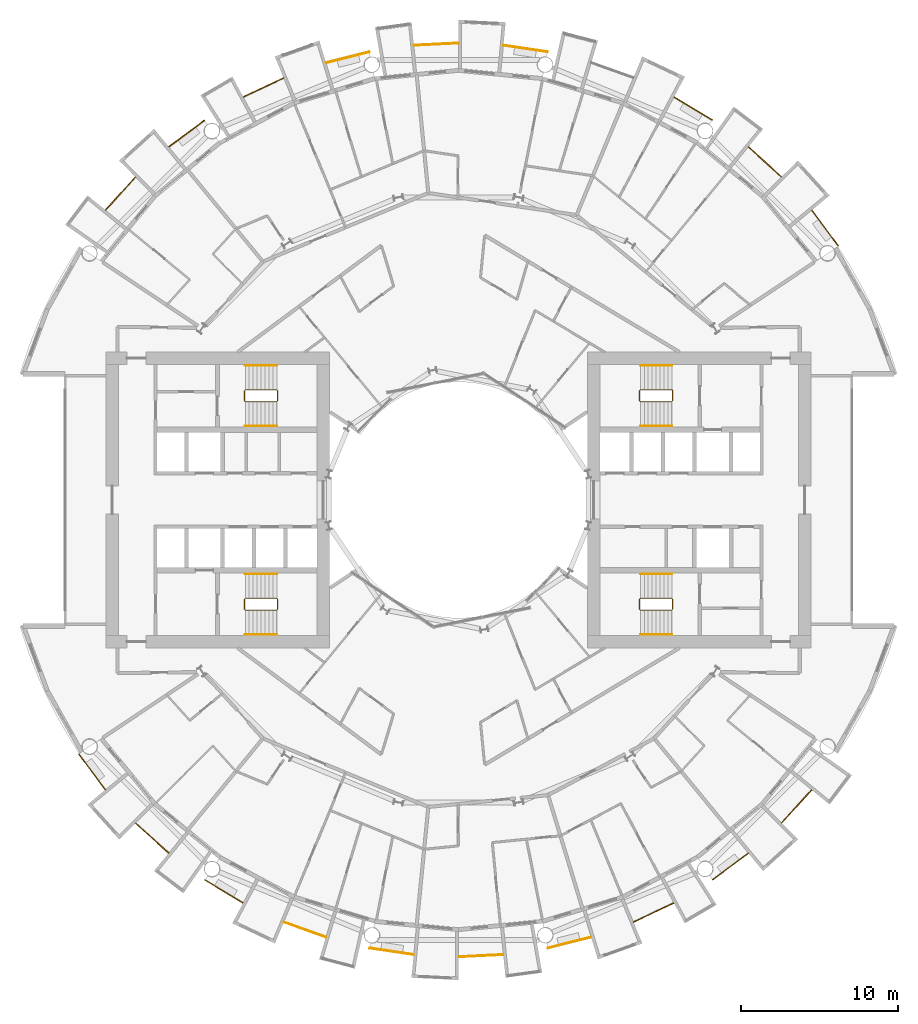
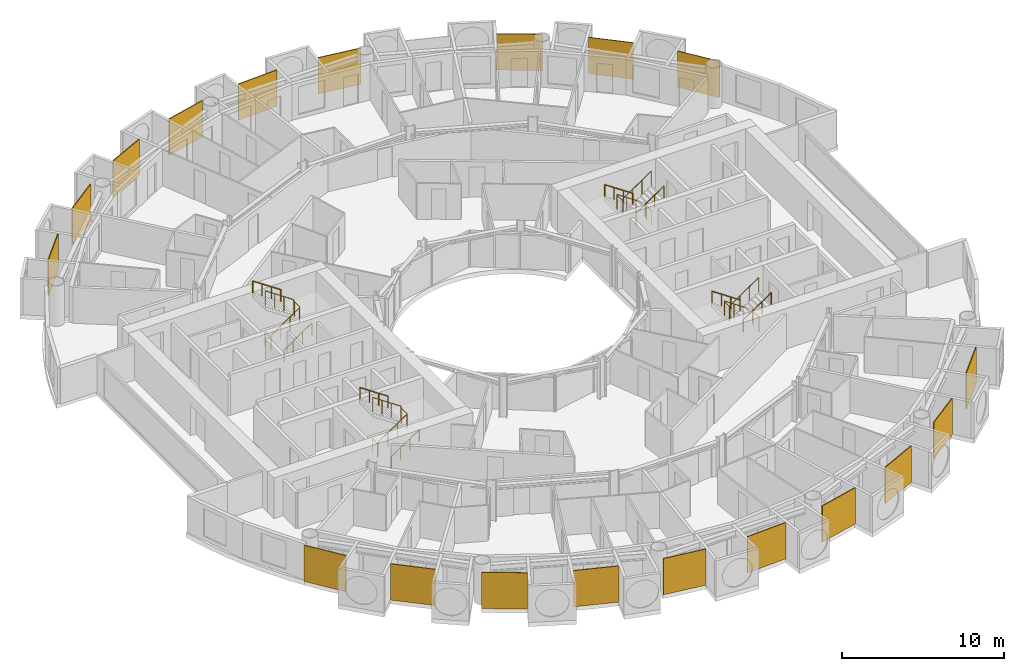
# One storey, part 25 of 26: 31 railings.
"""IFC4 building model written with IfcOpenShell, lengths in metres."""

from ifc_helpers import new_model, si_unit, direction, frame, origin, origin_2d, place, context, subcontext, project, spatial, polyline, circle, outline, extrude, material, layer, layer_set, type_object, element, save


model = new_model("IFC4")

# Units and contexts
model_context = context("Model", 3, precision=1e-05, world=origin(), true_north=direction((0.0, 1.0)))
body_context = subcontext(model_context, "Body", "Model", "MODEL_VIEW")
ifc_project = project(units=[si_unit("LENGTHUNIT", "METRE"), si_unit("AREAUNIT", "SQUARE_METRE"), si_unit("VOLUMEUNIT", "CUBIC_METRE"), si_unit("PLANEANGLEUNIT", "RADIAN"), si_unit("MASSUNIT", "GRAM", prefix="KILO")], contexts=[model_context])

# Site, building, storey
site_placement = place(None, origin())
site = spatial("IfcSite", under=ifc_project, at=site_placement, CompositionType="ELEMENT")
building_placement = place(site_placement, origin())
building = spatial("IfcBuilding", under=site, at=building_placement, Name="Maasbend Ring Residences", CompositionType="ELEMENT")
storey_placement = place(building_placement, frame((0.0, 0.0, 50.25)))
storey = spatial("IfcBuildingStorey", under=building, at=storey_placement, Name="L14", CompositionType="ELEMENT", Elevation=50.25)

# Railings
ifc_material_1 = material(Name="Pale anodised perforated aluminium", Category="aluminium")
ifc_layer = layer(ifc_material_1, 0.06005859375)
ifc_layer_set = layer_set([ifc_layer], Name="SCREEN-P")
railing_type_1 = type_object("IfcRailingType", Name="SCREEN-P", PredefinedType="GUARDRAIL", material=ifc_layer_set)
railing_1_placement = place(storey_placement, frame((0.0, 0.0, -0.030029296875)))
element("IfcRailing", 1, at=railing_1_placement, inside=storey, type_object=railing_type_1, Name="Perforated screen guard 1", PredefinedType="GUARDRAIL", context=body_context, shape_type="SweptSolid", body=[
    extrude(outline(polyline([(24.113037109375, 16.112060546875), (22.4169921875, 18.39697265625), (22.465087890625, 18.43310546875), (24.160888671875, 16.14697265625), (24.113037109375, 16.112060546875)])), origin(), (0.0, 0.0, 1.0), 2.72998046875),
])
railing_2_placement = place(storey_placement, frame((0.0, 0.0, -0.030029296875)))
element("IfcRailing", 2, at=railing_2_placement, inside=storey, type_object=railing_type_1, Name="Perforated screen guard 2", PredefinedType="GUARDRAIL", context=body_context, shape_type="SweptSolid", body=[
    extrude(outline(polyline([(20.506103515625, 20.506103515625), (18.39697265625, 22.4169921875), (18.43798828125, 22.4619140625), (20.5458984375, 20.551025390625), (20.506103515625, 20.506103515625)])), origin(), (0.0, 0.0, 1.0), 2.72998046875),
])
railing_3_placement = place(storey_placement, frame((0.0, 0.0, -0.030029296875)))
element("IfcRailing", 3, at=railing_3_placement, inside=storey, type_object=railing_type_1, Name="Perforated screen guard 3", PredefinedType="GUARDRAIL", context=body_context, shape_type="SweptSolid", body=[
    extrude(outline(polyline([(16.112060546875, 24.113037109375), (13.6708984375, 25.575927734375), (13.700927734375, 25.626953125), (16.14208984375, 24.1640625), (16.112060546875, 24.113037109375)])), origin(), (0.0, 0.0, 1.0), 2.72998046875),
])
railing_4_placement = place(storey_placement, frame((0.0, 0.0, -0.030029296875)))
element("IfcRailing", 4, at=railing_4_placement, inside=storey, type_object=railing_type_1, Name="Perforated screen guard 5", PredefinedType="GUARDRAIL", context=body_context, shape_type="SweptSolid", body=[
    extrude(outline(polyline([(5.657958984375, 28.443115234375), (2.842041015625, 28.860107421875), (2.85107421875, 28.919921875), (5.666015625, 28.501953125), (5.657958984375, 28.443115234375)])), origin(), (0.0, 0.0, 1.0), 2.72998046875),
])
railing_5_placement = place(storey_placement, frame((0.0, 0.0, -0.030029296875)))
element("IfcRailing", 5, at=railing_5_placement, inside=storey, type_object=railing_type_1, Name="Perforated screen guard 6", PredefinedType="GUARDRAIL", context=body_context, shape_type="SweptSolid", body=[
    extrude(outline(polyline([(0.0, 29.0), (-2.842041015625, 28.860107421875), (-2.844970703125, 28.919921875), (-0.0029296875, 29.06005859375), (0.0, 29.0)])), origin(), (0.0, 0.0, 1.0), 2.72998046875),
])
railing_6_placement = place(storey_placement, frame((0.0, 0.0, -0.030029296875)))
element("IfcRailing", 6, at=railing_6_placement, inside=storey, type_object=railing_type_1, Name="Perforated screen guard 7", PredefinedType="GUARDRAIL", context=body_context, shape_type="SweptSolid", body=[
    extrude(outline(polyline([(-5.657958984375, 28.443115234375), (-8.41796875, 27.7509765625), (-8.43310546875, 27.80908203125), (-5.672119140625, 28.5009765625), (-5.657958984375, 28.443115234375)])), origin(), (0.0, 0.0, 1.0), 2.72998046875),
])
railing_7_placement = place(storey_placement, frame((0.0, 0.0, -0.030029296875)))
element("IfcRailing", 7, at=railing_7_placement, inside=storey, type_object=railing_type_1, Name="Perforated screen guard 8", PredefinedType="GUARDRAIL", context=body_context, shape_type="SweptSolid", body=[
    extrude(outline(polyline([(-11.097900390625, 26.79296875), (-13.6708984375, 25.575927734375), (-13.696044921875, 25.6298828125), (-11.123046875, 26.846923828125), (-11.097900390625, 26.79296875)])), origin(), (0.0, 0.0, 1.0), 2.72998046875),
])
railing_8_placement = place(storey_placement, frame((0.0, 0.0, -0.030029296875)))
element("IfcRailing", 8, at=railing_8_placement, inside=storey, type_object=railing_type_1, Name="Perforated screen guard 9", PredefinedType="GUARDRAIL", context=body_context, shape_type="SweptSolid", body=[
    extrude(outline(polyline([(-16.112060546875, 24.113037109375), (-18.39697265625, 22.4169921875), (-18.43310546875, 22.465087890625), (-16.14697265625, 24.160888671875), (-16.112060546875, 24.113037109375)])), origin(), (0.0, 0.0, 1.0), 2.72998046875),
])
railing_9_placement = place(storey_placement, frame((0.0, 0.0, -0.030029296875)))
element("IfcRailing", 9, at=railing_9_placement, inside=storey, type_object=railing_type_1, Name="Perforated screen guard 10", PredefinedType="GUARDRAIL", context=body_context, shape_type="SweptSolid", body=[
    extrude(outline(polyline([(-20.506103515625, 20.506103515625), (-22.4169921875, 18.39697265625), (-22.4619140625, 18.43798828125), (-20.551025390625, 20.5458984375), (-20.506103515625, 20.506103515625)])), origin(), (0.0, 0.0, 1.0), 2.72998046875),
])
railing_10_placement = place(storey_placement, frame((0.0, 0.0, -0.030029296875)))
element("IfcRailing", 10, at=railing_10_placement, inside=storey, type_object=railing_type_1, Name="Perforated screen guard 1", PredefinedType="GUARDRAIL", context=body_context, shape_type="SweptSolid", body=[
    extrude(outline(polyline([(-24.113037109375, -16.112060546875), (-22.4169921875, -18.39697265625), (-22.465087890625, -18.43310546875), (-24.160888671875, -16.14697265625), (-24.113037109375, -16.112060546875)])), origin(), (0.0, 0.0, 1.0), 2.72998046875),
])
railing_11_placement = place(storey_placement, frame((0.0, 0.0, -0.030029296875)))
element("IfcRailing", 11, at=railing_11_placement, inside=storey, type_object=railing_type_1, Name="Perforated screen guard 2", PredefinedType="GUARDRAIL", context=body_context, shape_type="SweptSolid", body=[
    extrude(outline(polyline([(-20.506103515625, -20.506103515625), (-18.39697265625, -22.4169921875), (-18.43798828125, -22.4619140625), (-20.5458984375, -20.551025390625), (-20.506103515625, -20.506103515625)])), origin(), (0.0, 0.0, 1.0), 2.72998046875),
])
railing_12_placement = place(storey_placement, frame((0.0, 0.0, -0.030029296875)))
element("IfcRailing", 12, at=railing_12_placement, inside=storey, type_object=railing_type_1, Name="Perforated screen guard 3", PredefinedType="GUARDRAIL", context=body_context, shape_type="SweptSolid", body=[
    extrude(outline(polyline([(-16.112060546875, -24.113037109375), (-13.6708984375, -25.575927734375), (-13.700927734375, -25.626953125), (-16.14208984375, -24.1640625), (-16.112060546875, -24.113037109375)])), origin(), (0.0, 0.0, 1.0), 2.72998046875),
])
railing_13_placement = place(storey_placement, frame((0.0, 0.0, -0.030029296875)))
element("IfcRailing", 13, at=railing_13_placement, inside=storey, type_object=railing_type_1, Name="Perforated screen guard 4", PredefinedType="GUARDRAIL", context=body_context, shape_type="SweptSolid", body=[
    extrude(outline(polyline([(-11.097900390625, -26.79296875), (-8.41796875, -27.7509765625), (-8.43798828125, -27.80810546875), (-11.117919921875, -26.84912109375), (-11.097900390625, -26.79296875)])), origin(), (0.0, 0.0, 1.0), 2.72998046875),
])
railing_14_placement = place(storey_placement, frame((0.0, 0.0, -0.030029296875)))
element("IfcRailing", 14, at=railing_14_placement, inside=storey, type_object=railing_type_1, Name="Perforated screen guard 5", PredefinedType="GUARDRAIL", context=body_context, shape_type="SweptSolid", body=[
    extrude(outline(polyline([(-5.657958984375, -28.443115234375), (-2.842041015625, -28.860107421875), (-2.85107421875, -28.919921875), (-5.666015625, -28.501953125), (-5.657958984375, -28.443115234375)])), origin(), (0.0, 0.0, 1.0), 2.72998046875),
])
railing_15_placement = place(storey_placement, frame((0.0, 0.0, -0.030029296875)))
element("IfcRailing", 15, at=railing_15_placement, inside=storey, type_object=railing_type_1, Name="Perforated screen guard 6", PredefinedType="GUARDRAIL", context=body_context, shape_type="SweptSolid", body=[
    extrude(outline(polyline([(0.0, -29.0), (2.842041015625, -28.860107421875), (2.844970703125, -28.919921875), (0.0029296875, -29.06005859375), (0.0, -29.0)])), origin(), (0.0, 0.0, 1.0), 2.72998046875),
])
railing_16_placement = place(storey_placement, frame((0.0, 0.0, -0.030029296875)))
element("IfcRailing", 16, at=railing_16_placement, inside=storey, type_object=railing_type_1, Name="Perforated screen guard 7", PredefinedType="GUARDRAIL", context=body_context, shape_type="SweptSolid", body=[
    extrude(outline(polyline([(5.657958984375, -28.443115234375), (8.41796875, -27.7509765625), (8.43310546875, -27.80908203125), (5.672119140625, -28.5009765625), (5.657958984375, -28.443115234375)])), origin(), (0.0, 0.0, 1.0), 2.72998046875),
])
railing_17_placement = place(storey_placement, frame((0.0, 0.0, -0.030029296875)))
element("IfcRailing", 17, at=railing_17_placement, inside=storey, type_object=railing_type_1, Name="Perforated screen guard 8", PredefinedType="GUARDRAIL", context=body_context, shape_type="SweptSolid", body=[
    extrude(outline(polyline([(11.097900390625, -26.79296875), (13.6708984375, -25.575927734375), (13.696044921875, -25.6298828125), (11.123046875, -26.846923828125), (11.097900390625, -26.79296875)])), origin(), (0.0, 0.0, 1.0), 2.72998046875),
])
railing_18_placement = place(storey_placement, frame((0.0, 0.0, -0.030029296875)))
element("IfcRailing", 18, at=railing_18_placement, inside=storey, type_object=railing_type_1, Name="Perforated screen guard 9", PredefinedType="GUARDRAIL", context=body_context, shape_type="SweptSolid", body=[
    extrude(outline(polyline([(16.112060546875, -24.113037109375), (18.39697265625, -22.4169921875), (18.43310546875, -22.465087890625), (16.14697265625, -24.160888671875), (16.112060546875, -24.113037109375)])), origin(), (0.0, 0.0, 1.0), 2.72998046875),
])
railing_19_placement = place(storey_placement, frame((0.0, 0.0, -0.030029296875)))
element("IfcRailing", 19, at=railing_19_placement, inside=storey, type_object=railing_type_1, Name="Perforated screen guard 10", PredefinedType="GUARDRAIL", context=body_context, shape_type="SweptSolid", body=[
    extrude(outline(polyline([(20.506103515625, -20.506103515625), (22.4169921875, -18.39697265625), (22.4619140625, -18.43798828125), (20.551025390625, -20.5458984375), (20.506103515625, -20.506103515625)])), origin(), (0.0, 0.0, 1.0), 2.72998046875),
])
ifc_material_2 = material(Name="Stainless steel 316", Category="steel")
railing_type_2 = type_object("IfcRailingType", Name="STAIR GUARD 1100", PredefinedType="GUARDRAIL", material=ifc_material_2)
railing_20_placement = place(storey_placement, frame((13.60009765625, 6.300048828125, 0.0)))
element("IfcRailing", 20, at=railing_20_placement, inside=storey, type_object=railing_type_2, Name="L14 ST-E1 stair guard 1", PredefinedType="GUARDRAIL", context=body_context, shape_type="SweptSolid", body=[
    extrude(circle(Radius=0.02392578125, at=origin_2d()), frame((0.0, 0.0, 1.076171875), z_axis=(0.0, 1.0, 0.0), x_axis=(-1.0, 0.0, 0.0)), (0.0, 0.0, 1.0), 0.64990234375),
    extrude(circle(Radius=0.02392578125, at=origin_2d()), frame((0.0, 0.64990234375, 1.076171875), z_axis=(-0.272562526181, 0.272562526181, 0.92272386912), x_axis=(-0.707106781187, -0.707106781187, 0.0)), (0.0, 0.0, 1.0), 0.18359375),
    extrude(circle(Radius=0.02392578125, at=origin_2d()), frame((-0.050048828125, 0.699951171875, 1.24560546875), z_axis=(-0.827797584762, 0.0, 0.561026878735), x_axis=(0.0, -1.0, 0.0)), (0.0, 0.0, 1.0), 2.416015625),
    extrude(circle(Radius=0.02392578125, at=origin_2d()), frame((-2.050048828125, 0.699951171875, 2.60107421875), z_axis=(-0.707106781187, -0.707106781187, 0.0), x_axis=(0.707106781187, -0.707106781187, 0.0)), (0.0, 0.0, 1.0), 0.07080078125),
    extrude(circle(Radius=0.02392578125, at=origin_2d()), frame((-2.10009765625, 0.64990234375, 2.60107421875), z_axis=(0.0, -1.0, 0.0), x_axis=(1.0, 0.0, 0.0)), (0.0, 0.0, 1.0), 0.64990234375),
    extrude(circle(Radius=0.02392578125, at=origin_2d()), frame((-2.10009765625, 0.0, 2.60107421875), z_axis=(0.272562526181, -0.272562526181, 0.92272386912), x_axis=(0.707106781187, 0.707106781187, 0.0)), (0.0, 0.0, 1.0), 0.18359375),
    extrude(circle(Radius=0.02392578125, at=origin_2d()), frame((-2.050048828125, -0.050048828125, 2.7705078125), z_axis=(0.827750655447, 0.0, 0.561096116906), x_axis=(0.0, 1.0, 0.0)), (0.0, 0.0, 1.0), 2.416259765625),
    extrude(circle(Radius=0.02099609375, at=origin_2d()), origin(), (0.0, 0.0, 1.0), 1.052001953125),
    extrude(circle(Radius=0.02099609375, at=origin_2d()), frame((0.0, 0.64990234375, 0.0)), (0.0, 0.0, 1.0), 1.052001953125),
    extrude(circle(Radius=0.02099609375, at=origin_2d()), frame((-0.050048828125, 0.699951171875, 0.16943359375)), (0.0, 0.0, 1.0), 1.052001953125),
    extrude(circle(Radius=0.02099609375, at=origin_2d()), frame((-0.716796875, 0.699951171875, 0.621337890625)), (0.0, 0.0, 1.0), 1.052001953125),
    extrude(circle(Radius=0.02099609375, at=origin_2d()), frame((-1.38330078125, 0.699951171875, 1.072998046875)), (0.0, 0.0, 1.0), 1.052001953125),
    extrude(circle(Radius=0.02099609375, at=origin_2d()), frame((-2.050048828125, 0.699951171875, 1.52490234375)), (0.0, 0.0, 1.0), 1.052001953125),
    extrude(circle(Radius=0.02099609375, at=origin_2d()), frame((-2.10009765625, 0.64990234375, 1.52490234375)), (0.0, 0.0, 1.0), 1.052001953125),
    extrude(circle(Radius=0.02099609375, at=origin_2d()), frame((-2.10009765625, 0.0, 1.52490234375)), (0.0, 0.0, 1.0), 1.052001953125),
    extrude(circle(Radius=0.02099609375, at=origin_2d()), frame((-2.050048828125, -0.050048828125, 1.6943359375)), (0.0, 0.0, 1.0), 1.052001953125),
    extrude(circle(Radius=0.02099609375, at=origin_2d()), frame((-1.38330078125, -0.050048828125, 2.146240234375)), (0.0, 0.0, 1.0), 1.052001953125),
    extrude(circle(Radius=0.02099609375, at=origin_2d()), frame((-0.716796875, -0.050048828125, 2.59814453125)), (0.0, 0.0, 1.0), 1.052001953125),
    extrude(circle(Radius=0.02099609375, at=origin_2d()), frame((-0.050048828125, -0.050048828125, 3.050048828125)), (0.0, 0.0, 1.0), 1.052001953125),
])
railing_21_placement = place(storey_placement, frame((13.60009765625, -6.949951171875, 0.0)))
element("IfcRailing", 21, at=railing_21_placement, inside=storey, type_object=railing_type_2, Name="L14 ST-E2 stair guard 1", PredefinedType="GUARDRAIL", context=body_context, shape_type="SweptSolid", body=[
    extrude(circle(Radius=0.02392578125, at=origin_2d()), frame((0.0, 0.0, 1.076171875), z_axis=(0.0, 1.0, 0.0), x_axis=(-1.0, 0.0, 0.0)), (0.0, 0.0, 1.0), 0.64990234375),
    extrude(circle(Radius=0.02392578125, at=origin_2d()), frame((0.0, 0.64990234375, 1.076171875), z_axis=(-0.272562526181, 0.272562526181, 0.92272386912), x_axis=(-0.707106781187, -0.707106781187, 0.0)), (0.0, 0.0, 1.0), 0.18359375),
    extrude(circle(Radius=0.02392578125, at=origin_2d()), frame((-0.050048828125, 0.699951171875, 1.24560546875), z_axis=(-0.827797584762, 0.0, 0.561026878735), x_axis=(0.0, -1.0, 0.0)), (0.0, 0.0, 1.0), 2.416015625),
    extrude(circle(Radius=0.02392578125, at=origin_2d()), frame((-2.050048828125, 0.699951171875, 2.60107421875), z_axis=(-0.707106781187, -0.707106781187, 0.0), x_axis=(0.707106781187, -0.707106781187, 0.0)), (0.0, 0.0, 1.0), 0.07080078125),
    extrude(circle(Radius=0.02392578125, at=origin_2d()), frame((-2.10009765625, 0.64990234375, 2.60107421875), z_axis=(0.0, -1.0, 0.0), x_axis=(1.0, 0.0, 0.0)), (0.0, 0.0, 1.0), 0.64990234375),
    extrude(circle(Radius=0.02392578125, at=origin_2d()), frame((-2.10009765625, 0.0, 2.60107421875), z_axis=(0.272562526181, -0.272562526181, 0.92272386912), x_axis=(0.707106781187, 0.707106781187, 0.0)), (0.0, 0.0, 1.0), 0.18359375),
    extrude(circle(Radius=0.02392578125, at=origin_2d()), frame((-2.050048828125, -0.050048828125, 2.7705078125), z_axis=(0.827750655447, 0.0, 0.561096116906), x_axis=(0.0, 1.0, 0.0)), (0.0, 0.0, 1.0), 2.416259765625),
    extrude(circle(Radius=0.02099609375, at=origin_2d()), origin(), (0.0, 0.0, 1.0), 1.052001953125),
    extrude(circle(Radius=0.02099609375, at=origin_2d()), frame((0.0, 0.64990234375, 0.0)), (0.0, 0.0, 1.0), 1.052001953125),
    extrude(circle(Radius=0.02099609375, at=origin_2d()), frame((-0.050048828125, 0.699951171875, 0.16943359375)), (0.0, 0.0, 1.0), 1.052001953125),
    extrude(circle(Radius=0.02099609375, at=origin_2d()), frame((-0.716796875, 0.699951171875, 0.621337890625)), (0.0, 0.0, 1.0), 1.052001953125),
    extrude(circle(Radius=0.02099609375, at=origin_2d()), frame((-1.38330078125, 0.699951171875, 1.072998046875)), (0.0, 0.0, 1.0), 1.052001953125),
    extrude(circle(Radius=0.02099609375, at=origin_2d()), frame((-2.050048828125, 0.699951171875, 1.52490234375)), (0.0, 0.0, 1.0), 1.052001953125),
    extrude(circle(Radius=0.02099609375, at=origin_2d()), frame((-2.10009765625, 0.64990234375, 1.52490234375)), (0.0, 0.0, 1.0), 1.052001953125),
    extrude(circle(Radius=0.02099609375, at=origin_2d()), frame((-2.10009765625, 0.0, 1.52490234375)), (0.0, 0.0, 1.0), 1.052001953125),
    extrude(circle(Radius=0.02099609375, at=origin_2d()), frame((-2.050048828125, -0.050048828125, 1.6943359375)), (0.0, 0.0, 1.0), 1.052001953125),
    extrude(circle(Radius=0.02099609375, at=origin_2d()), frame((-1.38330078125, -0.050048828125, 2.146240234375)), (0.0, 0.0, 1.0), 1.052001953125),
    extrude(circle(Radius=0.02099609375, at=origin_2d()), frame((-0.716796875, -0.050048828125, 2.59814453125)), (0.0, 0.0, 1.0), 1.052001953125),
    extrude(circle(Radius=0.02099609375, at=origin_2d()), frame((-0.050048828125, -0.050048828125, 3.050048828125)), (0.0, 0.0, 1.0), 1.052001953125),
])
railing_22_placement = place(storey_placement, frame((-13.60009765625, -6.300048828125, 0.0)))
element("IfcRailing", 22, at=railing_22_placement, inside=storey, type_object=railing_type_2, Name="L14 ST-W1 stair guard 1", PredefinedType="GUARDRAIL", context=body_context, shape_type="SweptSolid", body=[
    extrude(circle(Radius=0.02392578125, at=origin_2d()), frame((0.0, 0.0, 1.076171875), z_axis=(0.0, -1.0, 0.0), x_axis=(1.0, 0.0, 0.0)), (0.0, 0.0, 1.0), 0.64990234375),
    extrude(circle(Radius=0.02392578125, at=origin_2d()), frame((0.0, -0.64990234375, 1.076171875), z_axis=(0.272562526181, -0.272562526181, 0.92272386912), x_axis=(0.707106781187, 0.707106781187, 0.0)), (0.0, 0.0, 1.0), 0.18359375),
    extrude(circle(Radius=0.02392578125, at=origin_2d()), frame((0.050048828125, -0.699951171875, 1.24560546875), z_axis=(0.827797584762, 0.0, 0.561026878735), x_axis=(0.0, 1.0, 0.0)), (0.0, 0.0, 1.0), 2.416015625),
    extrude(circle(Radius=0.02392578125, at=origin_2d()), frame((2.050048828125, -0.699951171875, 2.60107421875), z_axis=(0.707106781187, 0.707106781187, 0.0), x_axis=(-0.707106781187, 0.707106781187, 0.0)), (0.0, 0.0, 1.0), 0.07080078125),
    extrude(circle(Radius=0.02392578125, at=origin_2d()), frame((2.10009765625, -0.64990234375, 2.60107421875), z_axis=(0.0, 1.0, 0.0), x_axis=(-1.0, 0.0, 0.0)), (0.0, 0.0, 1.0), 0.64990234375),
    extrude(circle(Radius=0.02392578125, at=origin_2d()), frame((2.10009765625, 0.0, 2.60107421875), z_axis=(-0.272562526181, 0.272562526181, 0.92272386912), x_axis=(-0.707106781187, -0.707106781187, 0.0)), (0.0, 0.0, 1.0), 0.18359375),
    extrude(circle(Radius=0.02392578125, at=origin_2d()), frame((2.050048828125, 0.050048828125, 2.7705078125), z_axis=(-0.827750655447, 0.0, 0.561096116906), x_axis=(0.0, -1.0, 0.0)), (0.0, 0.0, 1.0), 2.416259765625),
    extrude(circle(Radius=0.02099609375, at=origin_2d()), origin(), (0.0, 0.0, 1.0), 1.052001953125),
    extrude(circle(Radius=0.02099609375, at=origin_2d()), frame((0.0, -0.64990234375, 0.0)), (0.0, 0.0, 1.0), 1.052001953125),
    extrude(circle(Radius=0.02099609375, at=origin_2d()), frame((0.050048828125, -0.699951171875, 0.16943359375)), (0.0, 0.0, 1.0), 1.052001953125),
    extrude(circle(Radius=0.02099609375, at=origin_2d()), frame((0.716796875, -0.699951171875, 0.621337890625)), (0.0, 0.0, 1.0), 1.052001953125),
    extrude(circle(Radius=0.02099609375, at=origin_2d()), frame((1.38330078125, -0.699951171875, 1.072998046875)), (0.0, 0.0, 1.0), 1.052001953125),
    extrude(circle(Radius=0.02099609375, at=origin_2d()), frame((2.050048828125, -0.699951171875, 1.52490234375)), (0.0, 0.0, 1.0), 1.052001953125),
    extrude(circle(Radius=0.02099609375, at=origin_2d()), frame((2.10009765625, -0.64990234375, 1.52490234375)), (0.0, 0.0, 1.0), 1.052001953125),
    extrude(circle(Radius=0.02099609375, at=origin_2d()), frame((2.10009765625, 0.0, 1.52490234375)), (0.0, 0.0, 1.0), 1.052001953125),
    extrude(circle(Radius=0.02099609375, at=origin_2d()), frame((2.050048828125, 0.050048828125, 1.6943359375)), (0.0, 0.0, 1.0), 1.052001953125),
    extrude(circle(Radius=0.02099609375, at=origin_2d()), frame((1.38330078125, 0.050048828125, 2.146240234375)), (0.0, 0.0, 1.0), 1.052001953125),
    extrude(circle(Radius=0.02099609375, at=origin_2d()), frame((0.716796875, 0.050048828125, 2.59814453125)), (0.0, 0.0, 1.0), 1.052001953125),
    extrude(circle(Radius=0.02099609375, at=origin_2d()), frame((0.050048828125, 0.050048828125, 3.050048828125)), (0.0, 0.0, 1.0), 1.052001953125),
])
railing_23_placement = place(storey_placement, frame((-13.60009765625, 6.949951171875, 0.0)))
element("IfcRailing", 23, at=railing_23_placement, inside=storey, type_object=railing_type_2, Name="L14 ST-W2 stair guard 1", PredefinedType="GUARDRAIL", context=body_context, shape_type="SweptSolid", body=[
    extrude(circle(Radius=0.02392578125, at=origin_2d()), frame((0.0, 0.0, 1.076171875), z_axis=(0.0, -1.0, 0.0), x_axis=(1.0, 0.0, 0.0)), (0.0, 0.0, 1.0), 0.64990234375),
    extrude(circle(Radius=0.02392578125, at=origin_2d()), frame((0.0, -0.64990234375, 1.076171875), z_axis=(0.272562526181, -0.272562526181, 0.92272386912), x_axis=(0.707106781187, 0.707106781187, 0.0)), (0.0, 0.0, 1.0), 0.18359375),
    extrude(circle(Radius=0.02392578125, at=origin_2d()), frame((0.050048828125, -0.699951171875, 1.24560546875), z_axis=(0.827797584762, 0.0, 0.561026878735), x_axis=(0.0, 1.0, 0.0)), (0.0, 0.0, 1.0), 2.416015625),
    extrude(circle(Radius=0.02392578125, at=origin_2d()), frame((2.050048828125, -0.699951171875, 2.60107421875), z_axis=(0.707106781187, 0.707106781187, 0.0), x_axis=(-0.707106781187, 0.707106781187, 0.0)), (0.0, 0.0, 1.0), 0.07080078125),
    extrude(circle(Radius=0.02392578125, at=origin_2d()), frame((2.10009765625, -0.64990234375, 2.60107421875), z_axis=(0.0, 1.0, 0.0), x_axis=(-1.0, 0.0, 0.0)), (0.0, 0.0, 1.0), 0.64990234375),
    extrude(circle(Radius=0.02392578125, at=origin_2d()), frame((2.10009765625, 0.0, 2.60107421875), z_axis=(-0.272562526181, 0.272562526181, 0.92272386912), x_axis=(-0.707106781187, -0.707106781187, 0.0)), (0.0, 0.0, 1.0), 0.18359375),
    extrude(circle(Radius=0.02392578125, at=origin_2d()), frame((2.050048828125, 0.050048828125, 2.7705078125), z_axis=(-0.827750655447, 0.0, 0.561096116906), x_axis=(0.0, -1.0, 0.0)), (0.0, 0.0, 1.0), 2.416259765625),
    extrude(circle(Radius=0.02099609375, at=origin_2d()), origin(), (0.0, 0.0, 1.0), 1.052001953125),
    extrude(circle(Radius=0.02099609375, at=origin_2d()), frame((0.0, -0.64990234375, 0.0)), (0.0, 0.0, 1.0), 1.052001953125),
    extrude(circle(Radius=0.02099609375, at=origin_2d()), frame((0.050048828125, -0.699951171875, 0.16943359375)), (0.0, 0.0, 1.0), 1.052001953125),
    extrude(circle(Radius=0.02099609375, at=origin_2d()), frame((0.716796875, -0.699951171875, 0.621337890625)), (0.0, 0.0, 1.0), 1.052001953125),
    extrude(circle(Radius=0.02099609375, at=origin_2d()), frame((1.38330078125, -0.699951171875, 1.072998046875)), (0.0, 0.0, 1.0), 1.052001953125),
    extrude(circle(Radius=0.02099609375, at=origin_2d()), frame((2.050048828125, -0.699951171875, 1.52490234375)), (0.0, 0.0, 1.0), 1.052001953125),
    extrude(circle(Radius=0.02099609375, at=origin_2d()), frame((2.10009765625, -0.64990234375, 1.52490234375)), (0.0, 0.0, 1.0), 1.052001953125),
    extrude(circle(Radius=0.02099609375, at=origin_2d()), frame((2.10009765625, 0.0, 1.52490234375)), (0.0, 0.0, 1.0), 1.052001953125),
    extrude(circle(Radius=0.02099609375, at=origin_2d()), frame((2.050048828125, 0.050048828125, 1.6943359375)), (0.0, 0.0, 1.0), 1.052001953125),
    extrude(circle(Radius=0.02099609375, at=origin_2d()), frame((1.38330078125, 0.050048828125, 2.146240234375)), (0.0, 0.0, 1.0), 1.052001953125),
    extrude(circle(Radius=0.02099609375, at=origin_2d()), frame((0.716796875, 0.050048828125, 2.59814453125)), (0.0, 0.0, 1.0), 1.052001953125),
    extrude(circle(Radius=0.02099609375, at=origin_2d()), frame((0.050048828125, 0.050048828125, 3.050048828125)), (0.0, 0.0, 1.0), 1.052001953125),
])
ifc_material_3 = material(Name="Stainless steel 316", Category="steel")
railing_type_3 = type_object("IfcRailingType", Name="STAIR HANDRAIL 900", PredefinedType="HANDRAIL", material=ifc_material_3)
railing_24_placement = place(storey_placement, frame((13.550048828125, 8.550048828125, 0.16943359375)))
element("IfcRailing", 24, at=railing_24_placement, inside=storey, type_object=railing_type_3, Name="L14 ST-E1 stair handrail 1", PredefinedType="HANDRAIL", context=body_context, shape_type="SweptSolid", body=[
    extrude(circle(Radius=0.02392578125, at=origin_2d()), frame((0.0, 0.0, 0.8759765625), z_axis=(-0.827797584762, 0.0, 0.561026878735), x_axis=(0.0, -1.0, 0.0)), (0.0, 0.0, 1.0), 2.416015625),
    extrude(circle(Radius=0.02099609375, at=origin_2d()), origin(), (0.0, 0.0, 1.0), 0.851806640625),
    extrude(circle(Radius=0.02099609375, at=origin_2d()), frame((-0.666748046875, 0.0, 0.451904296875)), (0.0, 0.0, 1.0), 0.851806640625),
    extrude(circle(Radius=0.02099609375, at=origin_2d()), frame((-1.333251953125, 0.0, 0.903564453125)), (0.0, 0.0, 1.0), 0.851806640625),
    extrude(circle(Radius=0.02099609375, at=origin_2d()), frame((-2.0, 0.0, 1.35546875)), (0.0, 0.0, 1.0), 0.851806640625),
])
railing_25_placement = place(storey_placement, frame((11.550048828125, 4.699951171875, 1.6943359375)))
element("IfcRailing", 25, at=railing_25_placement, inside=storey, type_object=railing_type_3, Name="L14 ST-E1 stair handrail 2", PredefinedType="HANDRAIL", context=body_context, shape_type="SweptSolid", body=[
    extrude(circle(Radius=0.02392578125, at=origin_2d()), frame((0.0, 0.0, 0.8759765625), z_axis=(0.827750655447, 0.0, 0.561096116906), x_axis=(0.0, 1.0, 0.0)), (0.0, 0.0, 1.0), 2.416259765625),
    extrude(circle(Radius=0.02099609375, at=origin_2d()), origin(), (0.0, 0.0, 1.0), 0.851806640625),
    extrude(circle(Radius=0.02099609375, at=origin_2d()), frame((0.666748046875, 0.0, 0.451904296875)), (0.0, 0.0, 1.0), 0.851806640625),
    extrude(circle(Radius=0.02099609375, at=origin_2d()), frame((1.333251953125, 0.0, 0.90380859375)), (0.0, 0.0, 1.0), 0.851806640625),
    extrude(circle(Radius=0.02099609375, at=origin_2d()), frame((2.0, 0.0, 1.355712890625)), (0.0, 0.0, 1.0), 0.851806640625),
])
railing_26_placement = place(storey_placement, frame((13.550048828125, -4.699951171875, 0.16943359375)))
element("IfcRailing", 26, at=railing_26_placement, inside=storey, type_object=railing_type_3, Name="L14 ST-E2 stair handrail 1", PredefinedType="HANDRAIL", context=body_context, shape_type="SweptSolid", body=[
    extrude(circle(Radius=0.02392578125, at=origin_2d()), frame((0.0, 0.0, 0.8759765625), z_axis=(-0.827797584762, 0.0, 0.561026878735), x_axis=(0.0, -1.0, 0.0)), (0.0, 0.0, 1.0), 2.416015625),
    extrude(circle(Radius=0.02099609375, at=origin_2d()), origin(), (0.0, 0.0, 1.0), 0.851806640625),
    extrude(circle(Radius=0.02099609375, at=origin_2d()), frame((-0.666748046875, 0.0, 0.451904296875)), (0.0, 0.0, 1.0), 0.851806640625),
    extrude(circle(Radius=0.02099609375, at=origin_2d()), frame((-1.333251953125, 0.0, 0.903564453125)), (0.0, 0.0, 1.0), 0.851806640625),
    extrude(circle(Radius=0.02099609375, at=origin_2d()), frame((-2.0, 0.0, 1.35546875)), (0.0, 0.0, 1.0), 0.851806640625),
])
railing_27_placement = place(storey_placement, frame((11.550048828125, -8.550048828125, 1.6943359375)))
element("IfcRailing", 27, at=railing_27_placement, inside=storey, type_object=railing_type_3, Name="L14 ST-E2 stair handrail 2", PredefinedType="HANDRAIL", context=body_context, shape_type="SweptSolid", body=[
    extrude(circle(Radius=0.02392578125, at=origin_2d()), frame((0.0, 0.0, 0.8759765625), z_axis=(0.827750655447, 0.0, 0.561096116906), x_axis=(0.0, 1.0, 0.0)), (0.0, 0.0, 1.0), 2.416259765625),
    extrude(circle(Radius=0.02099609375, at=origin_2d()), origin(), (0.0, 0.0, 1.0), 0.851806640625),
    extrude(circle(Radius=0.02099609375, at=origin_2d()), frame((0.666748046875, 0.0, 0.451904296875)), (0.0, 0.0, 1.0), 0.851806640625),
    extrude(circle(Radius=0.02099609375, at=origin_2d()), frame((1.333251953125, 0.0, 0.90380859375)), (0.0, 0.0, 1.0), 0.851806640625),
    extrude(circle(Radius=0.02099609375, at=origin_2d()), frame((2.0, 0.0, 1.355712890625)), (0.0, 0.0, 1.0), 0.851806640625),
])
railing_28_placement = place(storey_placement, frame((-13.550048828125, -8.550048828125, 0.16943359375)))
element("IfcRailing", 28, at=railing_28_placement, inside=storey, type_object=railing_type_3, Name="L14 ST-W1 stair handrail 1", PredefinedType="HANDRAIL", context=body_context, shape_type="SweptSolid", body=[
    extrude(circle(Radius=0.02392578125, at=origin_2d()), frame((0.0, 0.0, 0.8759765625), z_axis=(0.827797584762, 0.0, 0.561026878735), x_axis=(0.0, 1.0, 0.0)), (0.0, 0.0, 1.0), 2.416015625),
    extrude(circle(Radius=0.02099609375, at=origin_2d()), origin(), (0.0, 0.0, 1.0), 0.851806640625),
    extrude(circle(Radius=0.02099609375, at=origin_2d()), frame((0.666748046875, 0.0, 0.451904296875)), (0.0, 0.0, 1.0), 0.851806640625),
    extrude(circle(Radius=0.02099609375, at=origin_2d()), frame((1.333251953125, 0.0, 0.903564453125)), (0.0, 0.0, 1.0), 0.851806640625),
    extrude(circle(Radius=0.02099609375, at=origin_2d()), frame((2.0, 0.0, 1.35546875)), (0.0, 0.0, 1.0), 0.851806640625),
])
railing_29_placement = place(storey_placement, frame((-11.550048828125, -4.699951171875, 1.6943359375)))
element("IfcRailing", 29, at=railing_29_placement, inside=storey, type_object=railing_type_3, Name="L14 ST-W1 stair handrail 2", PredefinedType="HANDRAIL", context=body_context, shape_type="SweptSolid", body=[
    extrude(circle(Radius=0.02392578125, at=origin_2d()), frame((0.0, 0.0, 0.8759765625), z_axis=(-0.827750655447, 0.0, 0.561096116906), x_axis=(0.0, -1.0, 0.0)), (0.0, 0.0, 1.0), 2.416259765625),
    extrude(circle(Radius=0.02099609375, at=origin_2d()), origin(), (0.0, 0.0, 1.0), 0.851806640625),
    extrude(circle(Radius=0.02099609375, at=origin_2d()), frame((-0.666748046875, 0.0, 0.451904296875)), (0.0, 0.0, 1.0), 0.851806640625),
    extrude(circle(Radius=0.02099609375, at=origin_2d()), frame((-1.333251953125, 0.0, 0.90380859375)), (0.0, 0.0, 1.0), 0.851806640625),
    extrude(circle(Radius=0.02099609375, at=origin_2d()), frame((-2.0, 0.0, 1.355712890625)), (0.0, 0.0, 1.0), 0.851806640625),
])
railing_30_placement = place(storey_placement, frame((-13.550048828125, 4.699951171875, 0.16943359375)))
element("IfcRailing", 30, at=railing_30_placement, inside=storey, type_object=railing_type_3, Name="L14 ST-W2 stair handrail 1", PredefinedType="HANDRAIL", context=body_context, shape_type="SweptSolid", body=[
    extrude(circle(Radius=0.02392578125, at=origin_2d()), frame((0.0, 0.0, 0.8759765625), z_axis=(0.827797584762, 0.0, 0.561026878735), x_axis=(0.0, 1.0, 0.0)), (0.0, 0.0, 1.0), 2.416015625),
    extrude(circle(Radius=0.02099609375, at=origin_2d()), origin(), (0.0, 0.0, 1.0), 0.851806640625),
    extrude(circle(Radius=0.02099609375, at=origin_2d()), frame((0.666748046875, 0.0, 0.451904296875)), (0.0, 0.0, 1.0), 0.851806640625),
    extrude(circle(Radius=0.02099609375, at=origin_2d()), frame((1.333251953125, 0.0, 0.903564453125)), (0.0, 0.0, 1.0), 0.851806640625),
    extrude(circle(Radius=0.02099609375, at=origin_2d()), frame((2.0, 0.0, 1.35546875)), (0.0, 0.0, 1.0), 0.851806640625),
])
railing_31_placement = place(storey_placement, frame((-11.550048828125, 8.550048828125, 1.6943359375)))
element("IfcRailing", 31, at=railing_31_placement, inside=storey, type_object=railing_type_3, Name="L14 ST-W2 stair handrail 2", PredefinedType="HANDRAIL", context=body_context, shape_type="SweptSolid", body=[
    extrude(circle(Radius=0.02392578125, at=origin_2d()), frame((0.0, 0.0, 0.8759765625), z_axis=(-0.827750655447, 0.0, 0.561096116906), x_axis=(0.0, -1.0, 0.0)), (0.0, 0.0, 1.0), 2.416259765625),
    extrude(circle(Radius=0.02099609375, at=origin_2d()), origin(), (0.0, 0.0, 1.0), 0.851806640625),
    extrude(circle(Radius=0.02099609375, at=origin_2d()), frame((-0.666748046875, 0.0, 0.451904296875)), (0.0, 0.0, 1.0), 0.851806640625),
    extrude(circle(Radius=0.02099609375, at=origin_2d()), frame((-1.333251953125, 0.0, 0.90380859375)), (0.0, 0.0, 1.0), 0.851806640625),
    extrude(circle(Radius=0.02099609375, at=origin_2d()), frame((-2.0, 0.0, 1.355712890625)), (0.0, 0.0, 1.0), 0.851806640625),
])

save(model, "model.ifc")
